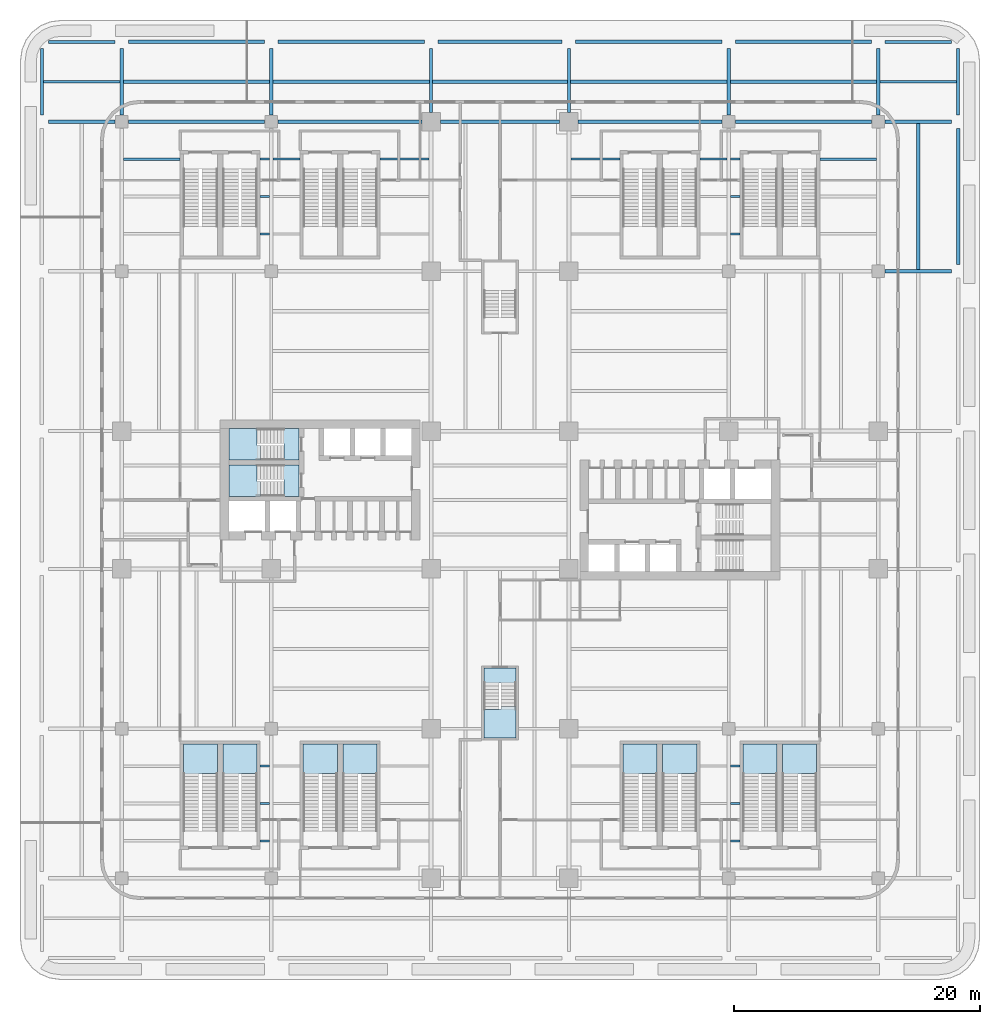
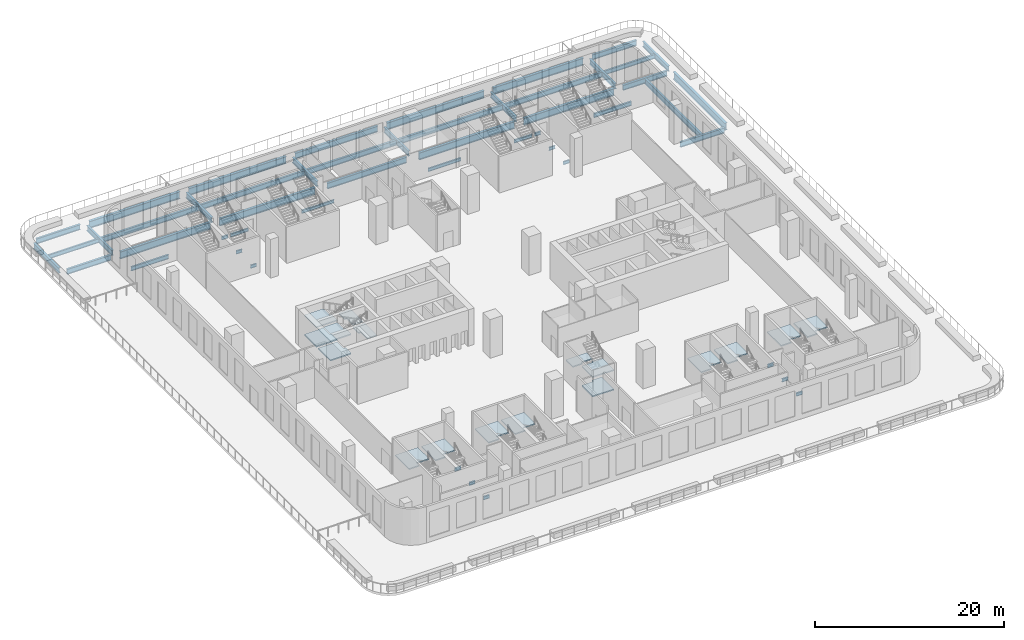
# One storey, part 3 of 17: 50 beams, 17 slabs, 11 elements without a shape of their own.
"""IFC4 building model written with IfcOpenShell, lengths in metres."""

from ifc_helpers import new_model, si_unit, direction, frame, origin, origin_2d, place, context, subcontext, project, spatial, polyline, i_section, outline, extrude, source, transform, mapped, material, layer, layer_set, material_profile, profile_set, type_object, element, aggregate, save


model = new_model("IFC4")

# Units and contexts
model_context = context("Model", 3, precision=1e-05, world=origin(), true_north=direction((0.0, 1.0)))
body_context = subcontext(model_context, "Body", "Model", "MODEL_VIEW")
ifc_project = project(units=[si_unit("LENGTHUNIT", "METRE"), si_unit("AREAUNIT", "SQUARE_METRE"), si_unit("VOLUMEUNIT", "CUBIC_METRE"), si_unit("PLANEANGLEUNIT", "RADIAN"), si_unit("MASSUNIT", "GRAM", prefix="KILO")], contexts=[model_context])

# Site, building, storey
site_placement = place(None, origin())
site = spatial("IfcSite", under=ifc_project, at=site_placement, CompositionType="ELEMENT")
building_placement = place(site_placement, origin())
building = spatial("IfcBuilding", under=site, at=building_placement, Name="Trellis Farm Tower", CompositionType="ELEMENT")
storey_placement = place(building_placement, frame((0.0, 0.0, 24.0)))
storey = spatial("IfcBuildingStorey", under=building, at=storey_placement, Name="L04", CompositionType="ELEMENT", Elevation=24.0)

# Beams
ifc_material_1 = material(Name="Steel S355", Category="steel")
ifc_material_profile_1 = material_profile(ifc_material_1, i_section(OverallWidth=0.253662109375, OverallDepth=0.68359375, WebThickness=0.012451171875, FlangeThickness=0.021728515625, FilletRadius=0.01513671875, at=origin_2d()), Name="UB 686x254x140")
ifc_profile_set_1 = profile_set([ifc_material_profile_1], Name="Steel S355")
beam_type_1 = type_object("IfcBeamType", Name="UB 686x254x140 joist", PredefinedType="JOIST", material=ifc_profile_set_1)
shared_shape_1 = source(origin(), body_context, "Body", "SweptSolid", [
    extrude(i_section(OverallWidth=0.253662109375, OverallDepth=0.68359375, WebThickness=0.012451171875, FlangeThickness=0.021728515625, FilletRadius=0.01513671875, at=origin_2d()), origin(), (0.0, 0.0, 1.0), 12.746337890625),
])
for number, where, z_axis, x_axis, name in (
    (1, (-18.47314453125, 34.0, -0.641845703125), (1.0, 0.0, 0.0), (0.0, 1.0, 0.0), "Floor beam"),
    (2, (5.726806640625, 34.0, -0.641845703125), (1.0, 0.0, 0.0), (0.0, 1.0, 0.0), "Floor beam"),
):
    element("IfcBeam", number, at=place(storey_placement, frame(where, z_axis=z_axis, x_axis=x_axis)), inside=storey, type_object=beam_type_1, Name=name, PredefinedType="JOIST", context=body_context, shape_type="MappedRepresentation", body=[
        mapped(shared_shape_1, transform((0.0, 0.0, 0.0))),
    ])
shared_shape_2 = source(origin(), body_context, "Body", "SweptSolid", [
    extrude(i_section(OverallWidth=0.253662109375, OverallDepth=0.68359375, WebThickness=0.012451171875, FlangeThickness=0.021728515625, FilletRadius=0.01513671875, at=origin_2d()), origin(), (0.0, 0.0, 1.0), 11.896240234375),
])
for number, where, z_axis, x_axis, name in (
    (3, (-30.623046875, 34.0, -0.641845703125), (1.0, 0.0, 0.0), (0.0, 1.0, 0.0), "Floor beam"),
    (4, (18.726806640625, 34.0, -0.641845703125), (1.0, 0.0, 0.0), (0.0, 1.0, 0.0), "Floor beam"),
    (5, (34.0, 18.726806640625, -0.641845703125), (0.0, 1.0, 0.0), (-1.0, 0.0, 0.0), "Floor beam"),
):
    element("IfcBeam", number, at=place(storey_placement, frame(where, z_axis=z_axis, x_axis=x_axis)), inside=storey, type_object=beam_type_1, Name=name, PredefinedType="JOIST", context=body_context, shape_type="MappedRepresentation", body=[
        mapped(shared_shape_2, transform((0.0, 0.0, 0.0))),
    ])
ifc_material_profile_2 = material_profile(ifc_material_1, i_section(OverallWidth=0.209228515625, OverallDepth=0.533203125, WebThickness=0.010009765625, FlangeThickness=0.015625, FilletRadius=0.0126953125, at=origin_2d()), Name="UB 533x210x92")
ifc_profile_set_2 = profile_set([ifc_material_profile_2], Name="Steel S355")
beam_type_2 = type_object("IfcBeamType", Name="UB 533x210x92 joist", PredefinedType="JOIST", material=ifc_profile_set_2)
shared_shape_3 = source(origin(), body_context, "Body", "SweptSolid", [
    extrude(i_section(OverallWidth=0.209228515625, OverallDepth=0.533203125, WebThickness=0.010009765625, FlangeThickness=0.015625, FilletRadius=0.0126953125, at=origin_2d()), origin(), (0.0, 0.0, 1.0), 6.246337890625),
])
for number, where, z_axis, x_axis, name in (
    (6, (-37.123291015625, 34.0, -0.56640625), (1.0, 0.0, 0.0), (0.0, 1.0, 0.0), "Floor beam"),
    (7, (30.876953125, 34.0, -0.56640625), (1.0, 0.0, 0.0), (0.0, 1.0, 0.0), "Floor beam"),
):
    element("IfcBeam", number, at=place(storey_placement, frame(where, z_axis=z_axis, x_axis=x_axis)), inside=storey, type_object=beam_type_2, Name=name, PredefinedType="JOIST", context=body_context, shape_type="MappedRepresentation", body=[
        mapped(shared_shape_3, transform((0.0, 0.0, 0.0))),
    ])
shared_shape_4 = source(origin(), body_context, "Body", "SweptSolid", [
    extrude(i_section(OverallWidth=0.253662109375, OverallDepth=0.68359375, WebThickness=0.012451171875, FlangeThickness=0.021728515625, FilletRadius=0.01513671875, at=origin_2d()), origin(), (0.0, 0.0, 1.0), 10.9462890625),
])
beam_1_placement = place(storey_placement, frame((-5.47314453125, 34.0, -0.641845703125), z_axis=(1.0, 0.0, 0.0), x_axis=(0.0, 1.0, 0.0)))
element("IfcBeam", 8, at=beam_1_placement, inside=storey, type_object=beam_type_1, Name="Floor beam", PredefinedType="JOIST", context=body_context, shape_type="MappedRepresentation", body=[
    mapped(shared_shape_4, transform((0.0, 0.0, 0.0))),
])
ifc_material_profile_3 = material_profile(ifc_material_1, i_section(OverallWidth=0.305419921875, OverallDepth=0.91845703125, WebThickness=0.017333984375, FlangeThickness=0.02783203125, FilletRadius=0.01904296875, at=origin_2d()), Name="UB 914x305x253")
ifc_profile_set_3 = profile_set([ifc_material_profile_3], Name="Steel S355")
beam_type_3 = type_object("IfcBeamType", Name="UB 914x305x253", PredefinedType="BEAM", material=ifc_profile_set_3)
shared_shape_5 = source(origin(), body_context, "Body", "SweptSolid", [
    extrude(i_section(OverallWidth=0.305419921875, OverallDepth=0.91845703125, WebThickness=0.017333984375, FlangeThickness=0.02783203125, FilletRadius=0.01904296875, at=origin_2d()), origin(), (0.0, 0.0, 1.0), 11.900146484375),
])
for number, where, z_axis, x_axis, name in (
    (9, (-18.050048828125, 37.25, -0.75927734375), (1.0, 0.0, 0.0), (0.0, 1.0, 0.0), "Girder"),
    (10, (6.14990234375, 37.25, -0.75927734375), (1.0, 0.0, 0.0), (0.0, 1.0, 0.0), "Girder"),
):
    element("IfcBeam", number, at=place(storey_placement, frame(where, z_axis=z_axis, x_axis=x_axis)), inside=storey, type_object=beam_type_3, Name=name, PredefinedType="BEAM", context=body_context, shape_type="MappedRepresentation", body=[
        mapped(shared_shape_5, transform((0.0, 0.0, 0.0))),
    ])
shared_shape_6 = source(origin(), body_context, "Body", "SweptSolid", [
    extrude(i_section(OverallWidth=0.305419921875, OverallDepth=0.91845703125, WebThickness=0.017333984375, FlangeThickness=0.02783203125, FilletRadius=0.01904296875, at=origin_2d()), origin(), (0.0, 0.0, 1.0), 11.050048828125),
])
for number, where, z_axis, x_axis, name in (
    (11, (-30.199951171875, 30.75, -0.75927734375), (1.0, 0.0, 0.0), (0.0, 1.0, 0.0), "Girder"),
    (12, (19.14990234375, 30.75, -0.75927734375), (1.0, 0.0, 0.0), (0.0, 1.0, 0.0), "Girder"),
    (13, (-30.199951171875, 37.25, -0.75927734375), (1.0, 0.0, 0.0), (0.0, 1.0, 0.0), "Girder"),
    (14, (19.14990234375, 37.25, -0.75927734375), (1.0, 0.0, 0.0), (0.0, 1.0, 0.0), "Girder"),
    (15, (37.25, 19.14990234375, -0.75927734375), (0.0, 1.0, 0.0), (-1.0, 0.0, 0.0), "Girder"),
):
    element("IfcBeam", number, at=place(storey_placement, frame(where, z_axis=z_axis, x_axis=x_axis)), inside=storey, type_object=beam_type_3, Name=name, PredefinedType="BEAM", context=body_context, shape_type="MappedRepresentation", body=[
        mapped(shared_shape_6, transform((0.0, 0.0, 0.0))),
    ])
ifc_material_profile_4 = material_profile(ifc_material_1, i_section(OverallWidth=0.253662109375, OverallDepth=0.68359375, WebThickness=0.012451171875, FlangeThickness=0.021728515625, FilletRadius=0.01513671875, at=origin_2d()), Name="UB 686x254x140")
ifc_profile_set_4 = profile_set([ifc_material_profile_4], Name="Steel S355")
beam_type_4 = type_object("IfcBeamType", Name="UB 686x254x140", PredefinedType="BEAM", material=ifc_profile_set_4)
shared_shape_7 = source(origin(), body_context, "Body", "SweptSolid", [
    extrude(i_section(OverallWidth=0.253662109375, OverallDepth=0.68359375, WebThickness=0.012451171875, FlangeThickness=0.021728515625, FilletRadius=0.01513671875, at=origin_2d()), origin(), (0.0, 0.0, 1.0), 5.39990234375),
])
for number, where, z_axis, x_axis, name in (
    (16, (31.300048828125, 18.60009765625, -0.641845703125), (1.0, 0.0, 0.0), (0.0, 1.0, 0.0), "Girder"),
    (17, (-36.699951171875, 30.75, -0.641845703125), (1.0, 0.0, 0.0), (0.0, 1.0, 0.0), "Girder"),
    (18, (31.300048828125, 30.75, -0.641845703125), (1.0, 0.0, 0.0), (0.0, 1.0, 0.0), "Girder"),
    (19, (-36.699951171875, 37.25, -0.641845703125), (1.0, 0.0, 0.0), (0.0, 1.0, 0.0), "Girder"),
    (20, (31.300048828125, 37.25, -0.641845703125), (1.0, 0.0, 0.0), (0.0, 1.0, 0.0), "Girder"),
    (21, (-37.25, 31.300048828125, -0.641845703125), (0.0, 1.0, 0.0), (-1.0, 0.0, 0.0), "Girder"),
    (22, (-30.75, 31.300048828125, -0.641845703125), (0.0, 1.0, 0.0), (-1.0, 0.0, 0.0), "Girder"),
    (23, (-18.60009765625, 31.300048828125, -0.641845703125), (0.0, 1.0, 0.0), (-1.0, 0.0, 0.0), "Girder"),
    (24, (18.60009765625, 31.300048828125, -0.641845703125), (0.0, 1.0, 0.0), (-1.0, 0.0, 0.0), "Girder"),
    (25, (30.75, 31.300048828125, -0.641845703125), (0.0, 1.0, 0.0), (-1.0, 0.0, 0.0), "Girder"),
    (26, (37.25, 31.300048828125, -0.641845703125), (0.0, 1.0, 0.0), (-1.0, 0.0, 0.0), "Girder"),
):
    element("IfcBeam", number, at=place(storey_placement, frame(where, z_axis=z_axis, x_axis=x_axis)), inside=storey, type_object=beam_type_4, Name=name, PredefinedType="BEAM", context=body_context, shape_type="MappedRepresentation", body=[
        mapped(shared_shape_7, transform((0.0, 0.0, 0.0))),
    ])
ifc_material_profile_5 = material_profile(ifc_material_1, i_section(OverallWidth=0.2666015625, OverallDepth=0.76220703125, WebThickness=0.014404296875, FlangeThickness=0.021484375, FilletRadius=0.0166015625, at=origin_2d()), Name="UB 762x267x173")
ifc_profile_set_5 = profile_set([ifc_material_profile_5], Name="Steel S355")
beam_type_5 = type_object("IfcBeamType", Name="UB 762x267x173", PredefinedType="BEAM", material=ifc_profile_set_5)
shared_shape_8 = source(origin(), body_context, "Body", "SweptSolid", [
    extrude(i_section(OverallWidth=0.2666015625, OverallDepth=0.76220703125, WebThickness=0.014404296875, FlangeThickness=0.021484375, FilletRadius=0.0166015625, at=origin_2d()), origin(), (0.0, 0.0, 1.0), 10.10009765625),
])
beam_2_placement = place(storey_placement, frame((-5.050048828125, 37.25, -0.68115234375), z_axis=(1.0, 0.0, 0.0), x_axis=(0.0, 1.0, 0.0)))
element("IfcBeam", 27, at=beam_2_placement, inside=storey, type_object=beam_type_5, Name="Girder", PredefinedType="BEAM", context=body_context, shape_type="MappedRepresentation", body=[
    mapped(shared_shape_8, transform((0.0, 0.0, 0.0))),
])
ifc_material_profile_6 = material_profile(ifc_material_1, i_section(OverallWidth=0.177978515625, OverallDepth=0.406494140625, WebThickness=0.0078125, FlangeThickness=0.0126953125, FilletRadius=0.01025390625, at=origin_2d()), Name="UB 406x178x60")
ifc_profile_set_6 = profile_set([ifc_material_profile_6], Name="Steel S355")
beam_type_6 = type_object("IfcBeamType", Name="UB 406x178x60 joist", PredefinedType="JOIST", material=ifc_profile_set_6)
shared_shape_9 = source(origin(), body_context, "Body", "SweptSolid", [
    extrude(i_section(OverallWidth=0.177978515625, OverallDepth=0.406494140625, WebThickness=0.0078125, FlangeThickness=0.0126953125, FilletRadius=0.01025390625, at=origin_2d()), origin(), (0.0, 0.0, 1.0), 2.197265625),
])
for number, where, z_axis, x_axis, name in (
    (28, (-18.447265625, 27.71240234375, -0.503173828125), (1.0, 0.0, 0.0), (0.0, 1.0, 0.0), "Floor beam"),
    (29, (16.25, 27.71240234375, -0.503173828125), (1.0, 0.0, 0.0), (0.0, 1.0, 0.0), "Floor beam"),
):
    element("IfcBeam", number, at=place(storey_placement, frame(where, z_axis=z_axis, x_axis=x_axis)), inside=storey, type_object=beam_type_6, Name=name, PredefinedType="JOIST", context=body_context, shape_type="MappedRepresentation", body=[
        mapped(shared_shape_9, transform((0.0, 0.0, 0.0))),
    ])
shared_shape_10 = source(origin(), body_context, "Body", "SweptSolid", [
    extrude(i_section(OverallWidth=0.177978515625, OverallDepth=0.406494140625, WebThickness=0.0078125, FlangeThickness=0.0126953125, FilletRadius=0.01025390625, at=origin_2d()), origin(), (0.0, 0.0, 1.0), 0.747314453125),
])
for number, where, z_axis, x_axis, name in (
    (30, (-19.5, -27.71240234375, -0.503173828125), (1.0, 0.0, 0.0), (0.0, 1.0, 0.0), "Floor beam"),
    (31, (18.752685546875, -27.71240234375, -0.503173828125), (1.0, 0.0, 0.0), (0.0, 1.0, 0.0), "Floor beam"),
    (32, (-19.5, -24.675048828125, -0.503173828125), (1.0, 0.0, 0.0), (0.0, 1.0, 0.0), "Floor beam"),
    (33, (18.752685546875, -24.675048828125, -0.503173828125), (1.0, 0.0, 0.0), (0.0, 1.0, 0.0), "Floor beam"),
    (34, (-19.5, -21.637451171875, -0.503173828125), (1.0, 0.0, 0.0), (0.0, 1.0, 0.0), "Floor beam"),
    (35, (18.752685546875, -21.637451171875, -0.503173828125), (1.0, 0.0, 0.0), (0.0, 1.0, 0.0), "Floor beam"),
    (36, (-19.5, 21.637451171875, -0.503173828125), (1.0, 0.0, 0.0), (0.0, 1.0, 0.0), "Floor beam"),
    (37, (18.752685546875, 21.637451171875, -0.503173828125), (1.0, 0.0, 0.0), (0.0, 1.0, 0.0), "Floor beam"),
    (38, (-19.5, 24.675048828125, -0.503173828125), (1.0, 0.0, 0.0), (0.0, 1.0, 0.0), "Floor beam"),
    (39, (18.752685546875, 24.675048828125, -0.503173828125), (1.0, 0.0, 0.0), (0.0, 1.0, 0.0), "Floor beam"),
    (40, (-19.5, 27.71240234375, -0.503173828125), (1.0, 0.0, 0.0), (0.0, 1.0, 0.0), "Floor beam"),
    (41, (18.752685546875, 27.71240234375, -0.503173828125), (1.0, 0.0, 0.0), (0.0, 1.0, 0.0), "Floor beam"),
):
    element("IfcBeam", number, at=place(storey_placement, frame(where, z_axis=z_axis, x_axis=x_axis)), inside=storey, type_object=beam_type_6, Name=name, PredefinedType="JOIST", context=body_context, shape_type="MappedRepresentation", body=[
        mapped(shared_shape_10, transform((0.0, 0.0, 0.0))),
    ])
shared_shape_11 = source(origin(), body_context, "Body", "SweptSolid", [
    extrude(i_section(OverallWidth=0.209228515625, OverallDepth=0.533203125, WebThickness=0.010009765625, FlangeThickness=0.015625, FilletRadius=0.0126953125, at=origin_2d()), origin(), (0.0, 0.0, 1.0), 4.59716796875),
])
for number, where, z_axis, x_axis, name in (
    (42, (-30.59716796875, 27.71240234375, -0.56640625), (1.0, 0.0, 0.0), (0.0, 1.0, 0.0), "Floor beam"),
    (43, (26.0, 27.71240234375, -0.56640625), (1.0, 0.0, 0.0), (0.0, 1.0, 0.0), "Floor beam"),
):
    element("IfcBeam", number, at=place(storey_placement, frame(where, z_axis=z_axis, x_axis=x_axis)), inside=storey, type_object=beam_type_2, Name=name, PredefinedType="JOIST", context=body_context, shape_type="MappedRepresentation", body=[
        mapped(shared_shape_11, transform((0.0, 0.0, 0.0))),
    ])
shared_shape_12 = source(origin(), body_context, "Body", "SweptSolid", [
    extrude(i_section(OverallWidth=0.305419921875, OverallDepth=0.91845703125, WebThickness=0.017333984375, FlangeThickness=0.02783203125, FilletRadius=0.01904296875, at=origin_2d()), origin(), (0.0, 0.0, 1.0), 11.699951171875),
])
for number, where, z_axis, x_axis, name in (
    (44, (-18.050048828125, 30.75, -0.75927734375), (1.0, 0.0, 0.0), (0.0, 1.0, 0.0), "Girder"),
    (45, (6.35009765625, 30.75, -0.75927734375), (1.0, 0.0, 0.0), (0.0, 1.0, 0.0), "Girder"),
):
    element("IfcBeam", number, at=place(storey_placement, frame(where, z_axis=z_axis, x_axis=x_axis)), inside=storey, type_object=beam_type_3, Name=name, PredefinedType="BEAM", context=body_context, shape_type="MappedRepresentation", body=[
        mapped(shared_shape_12, transform((0.0, 0.0, 0.0))),
    ])
shared_shape_13 = source(origin(), body_context, "Body", "SweptSolid", [
    extrude(i_section(OverallWidth=0.2666015625, OverallDepth=0.76220703125, WebThickness=0.014404296875, FlangeThickness=0.021484375, FilletRadius=0.0166015625, at=origin_2d()), origin(), (0.0, 0.0, 1.0), 9.7001953125),
])
beam_3_placement = place(storey_placement, frame((-4.85009765625, 30.75, -0.68115234375), z_axis=(1.0, 0.0, 0.0), x_axis=(0.0, 1.0, 0.0)))
element("IfcBeam", 46, at=beam_3_placement, inside=storey, type_object=beam_type_5, Name="Girder", PredefinedType="BEAM", context=body_context, shape_type="MappedRepresentation", body=[
    mapped(shared_shape_13, transform((0.0, 0.0, 0.0))),
])
shared_shape_14 = source(origin(), body_context, "Body", "SweptSolid", [
    extrude(i_section(OverallWidth=0.253662109375, OverallDepth=0.68359375, WebThickness=0.012451171875, FlangeThickness=0.021728515625, FilletRadius=0.01513671875, at=origin_2d()), origin(), (0.0, 0.0, 1.0), 5.199951171875),
])
for number, where, z_axis, x_axis, name in (
    (47, (-5.60009765625, 31.5, -0.641845703125), (0.0, 1.0, 0.0), (-1.0, 0.0, 0.0), "Girder"),
    (48, (5.60009765625, 31.5, -0.641845703125), (0.0, 1.0, 0.0), (-1.0, 0.0, 0.0), "Girder"),
):
    element("IfcBeam", number, at=place(storey_placement, frame(where, z_axis=z_axis, x_axis=x_axis)), inside=storey, type_object=beam_type_4, Name=name, PredefinedType="BEAM", context=body_context, shape_type="MappedRepresentation", body=[
        mapped(shared_shape_14, transform((0.0, 0.0, 0.0))),
    ])
shared_shape_15 = source(origin(), body_context, "Body", "SweptSolid", [
    extrude(i_section(OverallWidth=0.177978515625, OverallDepth=0.406494140625, WebThickness=0.0078125, FlangeThickness=0.0126953125, FilletRadius=0.01025390625, at=origin_2d()), origin(), (0.0, 0.0, 1.0), 3.997314453125),
])
for number, where, z_axis, x_axis, name in (
    (49, (-9.75, 27.71240234375, -0.503173828125), (1.0, 0.0, 0.0), (0.0, 1.0, 0.0), "Floor beam"),
    (50, (5.752685546875, 27.71240234375, -0.503173828125), (1.0, 0.0, 0.0), (0.0, 1.0, 0.0), "Floor beam"),
):
    element("IfcBeam", number, at=place(storey_placement, frame(where, z_axis=z_axis, x_axis=x_axis)), inside=storey, type_object=beam_type_6, Name=name, PredefinedType="JOIST", context=body_context, shape_type="MappedRepresentation", body=[
        mapped(shared_shape_15, transform((0.0, 0.0, 0.0))),
    ])

# Stair, slabs
ifc_material_2 = material(Name="Concrete C50/60", Category="concrete")
stair_type_1 = type_object("IfcStairType", Name="CORE EXIT STAIR 36 RISERS 139 MM", PredefinedType="HALF_TURN_STAIR", material=ifc_material_2)
placement_1 = place(storey_placement, origin())
stair_1 = element("IfcStair", 51, at=placement_1, inside=storey, type_object=stair_type_1, Name="Exit stair S", PredefinedType="HALF_TURN_STAIR")
ifc_layer = layer(ifc_material_2, 0.14990234375)
ifc_layer_set = layer_set([ifc_layer], Name="CORE STAIR LANDING 150 CONCRETE C50/60")
slab_type = type_object("IfcSlabType", Name="CORE STAIR LANDING 150 CONCRETE C50/60", PredefinedType="LANDING", material=ifc_layer_set)
shared_shape_16 = source(origin(), body_context, "Body", "SweptSolid", [
    extrude(outline(polyline([(1.300048828125, -19.35009765625), (-1.300048828125, -19.35009765625), (-1.300048828125, -17.050048828125), (-1.300048828125, -17.0400390625), (-0.10009765625, -17.0400390625), (-0.10009765625, -17.050048828125), (0.10009765625, -17.050048828125), (0.10009765625, -16.79052734375), (1.300048828125, -16.79052734375), (1.300048828125, -17.050048828125), (1.300048828125, -19.35009765625)])), origin(), (0.0, 0.0, 1.0), 0.14990234375),
])
placement_2 = place(storey_placement, frame((0.0, 0.0, 1.10009765625)))
slab_1 = element("IfcSlab", 52, at=placement_2, type_object=slab_type, Name="STS landing 1", PredefinedType="LANDING", context=body_context, shape_type="MappedRepresentation", body=[
    mapped(shared_shape_16, transform((0.0, 0.0, 0.0))),
])
placement_3 = place(storey_placement, frame((0.0, 0.0, 3.60009765625)))
slab_2 = element("IfcSlab", 53, at=placement_3, type_object=slab_type, Name="STS landing 3", PredefinedType="LANDING", context=body_context, shape_type="MappedRepresentation", body=[
    mapped(shared_shape_16, transform((0.0, 0.0, 0.0))),
])
shared_shape_17 = source(origin(), body_context, "Body", "SweptSolid", [
    extrude(outline(polyline([(-0.10009765625, -15.109375), (-1.300048828125, -15.109375), (-1.300048828125, -14.85009765625), (-1.300048828125, -13.64990234375), (1.300048828125, -13.64990234375), (1.300048828125, -14.85009765625), (1.300048828125, -14.860107421875), (0.10009765625, -14.860107421875), (0.10009765625, -14.85009765625), (-0.10009765625, -14.85009765625), (-0.10009765625, -15.109375)])), origin(), (0.0, 0.0, 1.0), 0.14990234375),
])
placement_4 = place(storey_placement, frame((0.0, 0.0, 2.35009765625)))
slab_3 = element("IfcSlab", 54, at=placement_4, type_object=slab_type, Name="STS landing 2", PredefinedType="LANDING", context=body_context, shape_type="MappedRepresentation", body=[
    mapped(shared_shape_17, transform((0.0, 0.0, 0.0))),
])
aggregate(stair_1, [slab_1, slab_3, slab_2])

# Stair, slab
stair_type_2 = type_object("IfcStairType", Name="PODIUM EXIT STAIR 36 RISERS 139 MM 1250 WIDE", PredefinedType="HALF_TURN_STAIR", material=ifc_material_2)
stair_2 = element("IfcStair", 55, at=placement_1, inside=storey, type_object=stair_type_2, Name="Podium exit stair STP5A", PredefinedType="HALF_TURN_STAIR")
shared_shape_18 = source(origin(), body_context, "Body", "SweptSolid", [
    extrude(outline(polyline([(-24.5, -22.793701171875), (-25.75, -22.793701171875), (-25.75, -22.22509765625), (-25.75, -19.85009765625), (-22.969970703125, -19.85009765625), (-22.969970703125, -22.22509765625), (-22.969970703125, -22.235107421875), (-24.219970703125, -22.235107421875), (-24.219970703125, -22.22509765625), (-24.5, -22.22509765625), (-24.5, -22.793701171875)])), origin(), (0.0, 0.0, 1.0), 0.14990234375),
])
slab_4 = element("IfcSlab", 56, at=placement_4, type_object=slab_type, Name="STP5A landing 1", PredefinedType="LANDING", context=body_context, shape_type="MappedRepresentation", body=[
    mapped(shared_shape_18, transform((0.0, 0.0, 0.0))),
])
aggregate(stair_2, [slab_4])

stair_3 = element("IfcStair", 57, at=placement_1, inside=storey, type_object=stair_type_2, Name="Podium exit stair STP5B", PredefinedType="HALF_TURN_STAIR")
shared_shape_19 = source(origin(), body_context, "Body", "SweptSolid", [
    extrude(outline(polyline([(-21.280029296875, -22.793701171875), (-22.530029296875, -22.793701171875), (-22.530029296875, -22.22509765625), (-22.530029296875, -19.85009765625), (-19.75, -19.85009765625), (-19.75, -22.22509765625), (-19.75, -22.235107421875), (-21.0, -22.235107421875), (-21.0, -22.22509765625), (-21.280029296875, -22.22509765625), (-21.280029296875, -22.793701171875)])), origin(), (0.0, 0.0, 1.0), 0.14990234375),
])
slab_5 = element("IfcSlab", 58, at=placement_4, type_object=slab_type, Name="STP5B landing 1", PredefinedType="LANDING", context=body_context, shape_type="MappedRepresentation", body=[
    mapped(shared_shape_19, transform((0.0, 0.0, 0.0))),
])
aggregate(stair_3, [slab_5])

stair_4 = element("IfcStair", 59, at=placement_1, inside=storey, type_object=stair_type_2, Name="Podium exit stair STP6A", PredefinedType="HALF_TURN_STAIR")
shared_shape_20 = source(origin(), body_context, "Body", "SweptSolid", [
    extrude(outline(polyline([(-14.75, -22.793701171875), (-16.0, -22.793701171875), (-16.0, -22.22509765625), (-16.0, -19.85009765625), (-13.219970703125, -19.85009765625), (-13.219970703125, -22.22509765625), (-13.219970703125, -22.235107421875), (-14.469970703125, -22.235107421875), (-14.469970703125, -22.22509765625), (-14.75, -22.22509765625), (-14.75, -22.793701171875)])), origin(), (0.0, 0.0, 1.0), 0.14990234375),
])
slab_6 = element("IfcSlab", 60, at=placement_4, type_object=slab_type, Name="STP6A landing 1", PredefinedType="LANDING", context=body_context, shape_type="MappedRepresentation", body=[
    mapped(shared_shape_20, transform((0.0, 0.0, 0.0))),
])
aggregate(stair_4, [slab_6])

stair_5 = element("IfcStair", 61, at=placement_1, inside=storey, type_object=stair_type_2, Name="Podium exit stair STP6B", PredefinedType="HALF_TURN_STAIR")
shared_shape_21 = source(origin(), body_context, "Body", "SweptSolid", [
    extrude(outline(polyline([(-11.530029296875, -22.793701171875), (-12.780029296875, -22.793701171875), (-12.780029296875, -22.22509765625), (-12.780029296875, -19.85009765625), (-10.0, -19.85009765625), (-10.0, -22.22509765625), (-10.0, -22.235107421875), (-11.25, -22.235107421875), (-11.25, -22.22509765625), (-11.530029296875, -22.22509765625), (-11.530029296875, -22.793701171875)])), origin(), (0.0, 0.0, 1.0), 0.14990234375),
])
slab_7 = element("IfcSlab", 62, at=placement_4, type_object=slab_type, Name="STP6B landing 1", PredefinedType="LANDING", context=body_context, shape_type="MappedRepresentation", body=[
    mapped(shared_shape_21, transform((0.0, 0.0, 0.0))),
])
aggregate(stair_5, [slab_7])

stair_6 = element("IfcStair", 63, at=placement_1, inside=storey, type_object=stair_type_2, Name="Podium exit stair STP7A", PredefinedType="HALF_TURN_STAIR")
shared_shape_22 = source(origin(), body_context, "Body", "SweptSolid", [
    extrude(outline(polyline([(11.25, -22.793701171875), (10.0, -22.793701171875), (10.0, -22.22509765625), (10.0, -19.85009765625), (12.780029296875, -19.85009765625), (12.780029296875, -22.22509765625), (12.780029296875, -22.235107421875), (11.530029296875, -22.235107421875), (11.530029296875, -22.22509765625), (11.25, -22.22509765625), (11.25, -22.793701171875)])), origin(), (0.0, 0.0, 1.0), 0.14990234375),
])
slab_8 = element("IfcSlab", 64, at=placement_4, type_object=slab_type, Name="STP7A landing 1", PredefinedType="LANDING", context=body_context, shape_type="MappedRepresentation", body=[
    mapped(shared_shape_22, transform((0.0, 0.0, 0.0))),
])
aggregate(stair_6, [slab_8])

stair_7 = element("IfcStair", 65, at=placement_1, inside=storey, type_object=stair_type_2, Name="Podium exit stair STP7B", PredefinedType="HALF_TURN_STAIR")
shared_shape_23 = source(origin(), body_context, "Body", "SweptSolid", [
    extrude(outline(polyline([(14.469970703125, -22.793701171875), (13.219970703125, -22.793701171875), (13.219970703125, -22.22509765625), (13.219970703125, -19.85009765625), (16.0, -19.85009765625), (16.0, -22.22509765625), (16.0, -22.235107421875), (14.75, -22.235107421875), (14.75, -22.22509765625), (14.469970703125, -22.22509765625), (14.469970703125, -22.793701171875)])), origin(), (0.0, 0.0, 1.0), 0.14990234375),
])
slab_9 = element("IfcSlab", 66, at=placement_4, type_object=slab_type, Name="STP7B landing 1", PredefinedType="LANDING", context=body_context, shape_type="MappedRepresentation", body=[
    mapped(shared_shape_23, transform((0.0, 0.0, 0.0))),
])
aggregate(stair_7, [slab_9])

stair_8 = element("IfcStair", 67, at=placement_1, inside=storey, type_object=stair_type_2, Name="Podium exit stair STP8A", PredefinedType="HALF_TURN_STAIR")
shared_shape_24 = source(origin(), body_context, "Body", "SweptSolid", [
    extrude(outline(polyline([(21.0, -22.793701171875), (19.75, -22.793701171875), (19.75, -22.22509765625), (19.75, -19.85009765625), (22.530029296875, -19.85009765625), (22.530029296875, -22.22509765625), (22.530029296875, -22.235107421875), (21.280029296875, -22.235107421875), (21.280029296875, -22.22509765625), (21.0, -22.22509765625), (21.0, -22.793701171875)])), origin(), (0.0, 0.0, 1.0), 0.14990234375),
])
slab_10 = element("IfcSlab", 68, at=placement_4, type_object=slab_type, Name="STP8A landing 1", PredefinedType="LANDING", context=body_context, shape_type="MappedRepresentation", body=[
    mapped(shared_shape_24, transform((0.0, 0.0, 0.0))),
])
aggregate(stair_8, [slab_10])

stair_9 = element("IfcStair", 69, at=placement_1, inside=storey, type_object=stair_type_2, Name="Podium exit stair STP8B", PredefinedType="HALF_TURN_STAIR")
shared_shape_25 = source(origin(), body_context, "Body", "SweptSolid", [
    extrude(outline(polyline([(24.219970703125, -22.793701171875), (22.969970703125, -22.793701171875), (22.969970703125, -22.22509765625), (22.969970703125, -19.85009765625), (25.75, -19.85009765625), (25.75, -22.22509765625), (25.75, -22.235107421875), (24.5, -22.235107421875), (24.5, -22.22509765625), (24.219970703125, -22.22509765625), (24.219970703125, -22.793701171875)])), origin(), (0.0, 0.0, 1.0), 0.14990234375),
])
slab_11 = element("IfcSlab", 70, at=placement_4, type_object=slab_type, Name="STP8B landing 1", PredefinedType="LANDING", context=body_context, shape_type="MappedRepresentation", body=[
    mapped(shared_shape_25, transform((0.0, 0.0, 0.0))),
])
aggregate(stair_9, [slab_11])

# Stair, slabs
stair_10 = element("IfcStair", 71, at=placement_1, inside=storey, type_object=stair_type_1, Name="Exit stair W1", PredefinedType="HALF_TURN_STAIR")
shared_shape_26 = source(origin(), body_context, "Body", "SweptSolid", [
    extrude(outline(polyline([(-19.49072265625, 4.449951171875), (-19.49072265625, 3.25), (-19.75, 3.25), (-22.050048828125, 3.25), (-22.050048828125, 5.800048828125), (-19.75, 5.800048828125), (-19.739990234375, 5.800048828125), (-19.739990234375, 4.60009765625), (-19.75, 4.60009765625), (-19.75, 4.449951171875), (-19.49072265625, 4.449951171875)])), origin(), (0.0, 0.0, 1.0), 0.14990234375),
])
slab_12 = element("IfcSlab", 72, at=placement_2, type_object=slab_type, Name="STW1 landing 1", PredefinedType="LANDING", context=body_context, shape_type="MappedRepresentation", body=[
    mapped(shared_shape_26, transform((0.0, 0.0, 0.0))),
])
slab_13 = element("IfcSlab", 73, at=placement_3, type_object=slab_type, Name="STW1 landing 3", PredefinedType="LANDING", context=body_context, shape_type="MappedRepresentation", body=[
    mapped(shared_shape_26, transform((0.0, 0.0, 0.0))),
])
shared_shape_27 = source(origin(), body_context, "Body", "SweptSolid", [
    extrude(outline(polyline([(-17.56005859375, 3.25), (-17.56005859375, 4.449951171875), (-17.550048828125, 4.449951171875), (-17.550048828125, 4.60009765625), (-17.809326171875, 4.60009765625), (-17.809326171875, 5.800048828125), (-17.550048828125, 5.800048828125), (-16.35009765625, 5.800048828125), (-16.35009765625, 3.25), (-17.550048828125, 3.25), (-17.56005859375, 3.25)])), origin(), (0.0, 0.0, 1.0), 0.14990234375),
])
slab_14 = element("IfcSlab", 74, at=placement_4, type_object=slab_type, Name="STW1 landing 2", PredefinedType="LANDING", context=body_context, shape_type="MappedRepresentation", body=[
    mapped(shared_shape_27, transform((0.0, 0.0, 0.0))),
])
aggregate(stair_10, [slab_12, slab_14, slab_13])

stair_11 = element("IfcStair", 75, at=placement_1, inside=storey, type_object=stair_type_1, Name="Exit stair W2", PredefinedType="HALF_TURN_STAIR")
shared_shape_28 = source(origin(), body_context, "Body", "SweptSolid", [
    extrude(outline(polyline([(-19.49072265625, 1.5), (-19.49072265625, 0.300048828125), (-19.75, 0.300048828125), (-22.050048828125, 0.300048828125), (-22.050048828125, 2.85009765625), (-19.75, 2.85009765625), (-19.739990234375, 2.85009765625), (-19.739990234375, 1.64990234375), (-19.75, 1.64990234375), (-19.75, 1.5), (-19.49072265625, 1.5)])), origin(), (0.0, 0.0, 1.0), 0.14990234375),
])
slab_15 = element("IfcSlab", 76, at=placement_2, type_object=slab_type, Name="STW2 landing 1", PredefinedType="LANDING", context=body_context, shape_type="MappedRepresentation", body=[
    mapped(shared_shape_28, transform((0.0, 0.0, 0.0))),
])
slab_16 = element("IfcSlab", 77, at=placement_3, type_object=slab_type, Name="STW2 landing 3", PredefinedType="LANDING", context=body_context, shape_type="MappedRepresentation", body=[
    mapped(shared_shape_28, transform((0.0, 0.0, 0.0))),
])
shared_shape_29 = source(origin(), body_context, "Body", "SweptSolid", [
    extrude(outline(polyline([(-17.56005859375, 0.300048828125), (-17.56005859375, 1.5), (-17.550048828125, 1.5), (-17.550048828125, 1.64990234375), (-17.809326171875, 1.64990234375), (-17.809326171875, 2.85009765625), (-17.550048828125, 2.85009765625), (-16.35009765625, 2.85009765625), (-16.35009765625, 0.300048828125), (-17.550048828125, 0.300048828125), (-17.56005859375, 0.300048828125)])), origin(), (0.0, 0.0, 1.0), 0.14990234375),
])
slab_17 = element("IfcSlab", 78, at=placement_4, type_object=slab_type, Name="STW2 landing 2", PredefinedType="LANDING", context=body_context, shape_type="MappedRepresentation", body=[
    mapped(shared_shape_29, transform((0.0, 0.0, 0.0))),
])
aggregate(stair_11, [slab_15, slab_17, slab_16])

save(model, "model.ifc")
